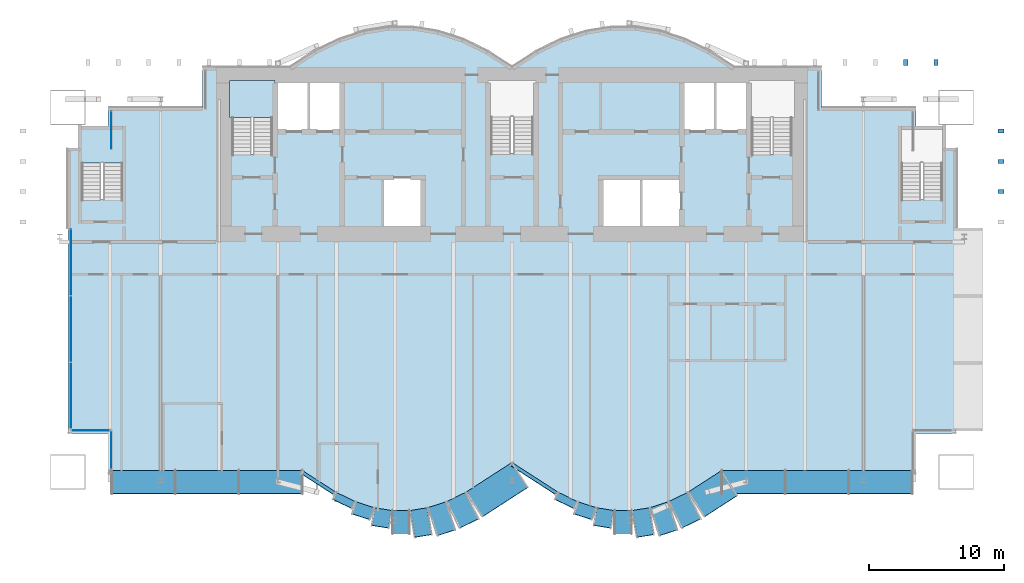
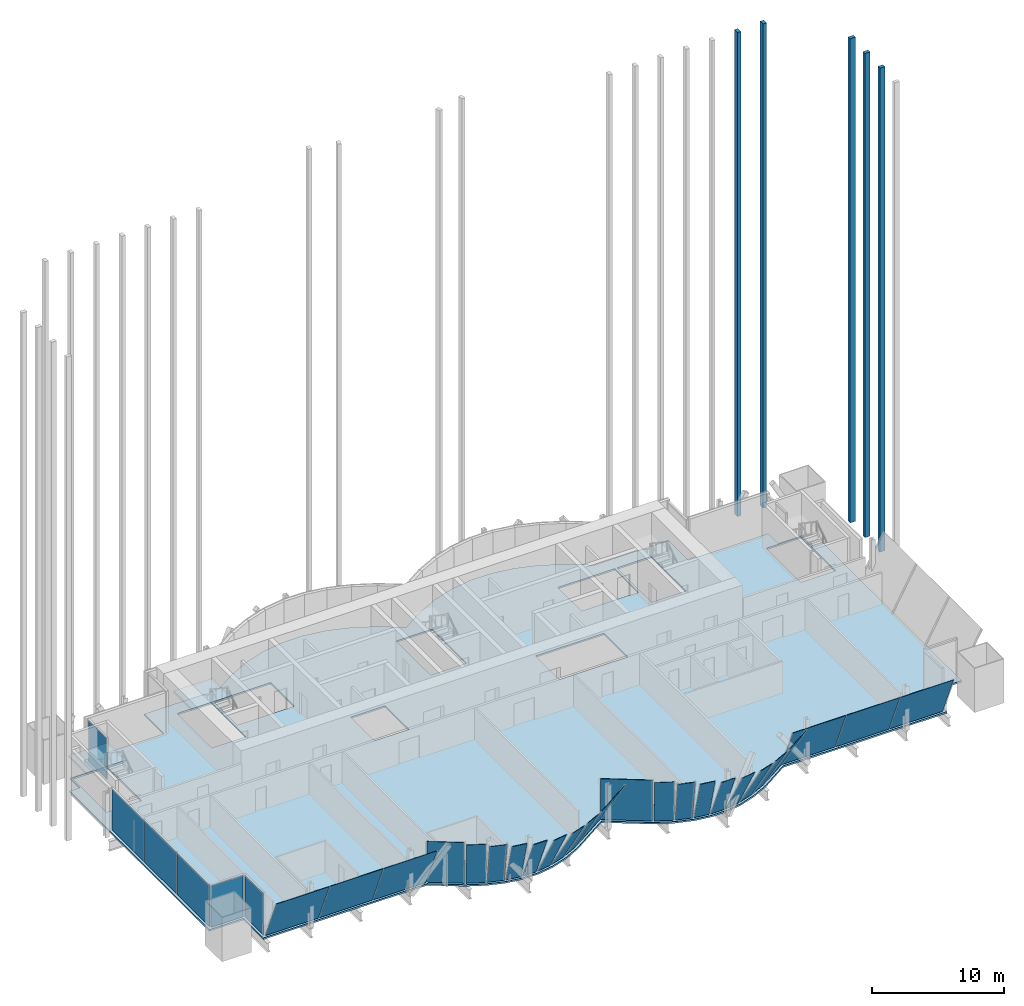
# One storey, part 22 of 29: 30 plates, 5 members, 3 slabs, 28 elements without a shape of their own.
"""IFC4 building model written with IfcOpenShell, lengths in metres."""

from ifc_helpers import new_model, si_unit, direction, frame, origin, origin_2d, place, context, subcontext, project, spatial, polyline, rectangle, outline, extrude, material, layer, layer_set, material_profile, profile_set, type_object, element, aggregate, save


model = new_model("IFC4")

# Units and contexts
model_context = context("Model", 3, precision=1e-05, world=origin(), true_north=direction((0.0, 1.0)))
body_context = subcontext(model_context, "Body", "Model", "MODEL_VIEW")
ifc_project = project(units=[si_unit("LENGTHUNIT", "METRE"), si_unit("AREAUNIT", "SQUARE_METRE"), si_unit("VOLUMEUNIT", "CUBIC_METRE"), si_unit("PLANEANGLEUNIT", "RADIAN"), si_unit("MASSUNIT", "GRAM", prefix="KILO")], contexts=[model_context])

# Site, building, storey
site_placement = place(None, origin())
site = spatial("IfcSite", under=ifc_project, at=site_placement, CompositionType="ELEMENT")
building_placement = place(site_placement, origin())
building = spatial("IfcBuilding", under=site, at=building_placement, Name="Bicima Exchange Tower", CompositionType="ELEMENT")
storey_placement = place(building_placement, frame((0.0, 0.0, 190.89990234375)))
storey = spatial("IfcBuildingStorey", under=building, at=storey_placement, Name="L42", CompositionType="ELEMENT", Elevation=190.89990234375)

# Curtain wall, members
ifc_material_1 = material(Name="Anodised bronze aluminium", Category="aluminium")
curtain_wall_type_1 = type_object("IfcCurtainWallType", Name="Rear blade screen", PredefinedType="NOTDEFINED", material=ifc_material_1)
curtain_wall_1_placement = place(storey_placement, origin())
curtain_wall_1 = element("IfcCurtainWall", 1, at=curtain_wall_1_placement, inside=storey, type_object=curtain_wall_type_1, Name="Rear blade screen L42-L52 E", PredefinedType="NOTDEFINED")
ifc_material_profile = material_profile(ifc_material_1, rectangle(XDim=0.449951171875, YDim=0.300048828125, at=origin_2d()))
ifc_profile_set = profile_set([ifc_material_profile], Name="Anodised bronze aluminium")
member_type = type_object("IfcMemberType", Name="Rear blade fin 450 x 300", PredefinedType="USERDEFINED", material=ifc_profile_set)
member_1_placement = place(storey_placement, frame((29.25, 0.324951171875, 0.0), z_axis=(0.0, 0.0, 1.0), x_axis=(0.0, 1.0, 0.0)))
member_1 = element("IfcMember", 2, at=member_1_placement, type_object=member_type, Name="Rear blade fin L42-L52 18", ObjectType="FIN", PredefinedType="USERDEFINED", context=body_context, shape_type="SweptSolid", body=[
    extrude(rectangle(XDim=0.449951171875, YDim=0.300048828125, at=origin_2d()), origin(), (0.0, 0.0, 1.0), 44.900146484375),
])
member_2_placement = place(storey_placement, frame((31.5, 0.324951171875, 0.0), z_axis=(0.0, 0.0, 1.0), x_axis=(0.0, 1.0, 0.0)))
member_2 = element("IfcMember", 3, at=member_2_placement, type_object=member_type, Name="Rear blade fin L42-L52 19", ObjectType="FIN", PredefinedType="USERDEFINED", context=body_context, shape_type="SweptSolid", body=[
    extrude(rectangle(XDim=0.449951171875, YDim=0.300048828125, at=origin_2d()), origin(), (0.0, 0.0, 1.0), 44.900146484375),
])
aggregate(curtain_wall_1, [member_1, member_2])

curtain_wall_2_placement = place(storey_placement, origin())
curtain_wall_2 = element("IfcCurtainWall", 4, at=curtain_wall_2_placement, inside=storey, type_object=curtain_wall_type_1, Name="End blade screen L42-L52", PredefinedType="NOTDEFINED")
member_3_placement = place(storey_placement, frame((36.324951171875, -9.25, 0.0), z_axis=(0.0, 0.0, 1.0), x_axis=(1.0, 0.0, 0.0)))
member_3 = element("IfcMember", 5, at=member_3_placement, type_object=member_type, Name="End blade fin L42-L52 2", ObjectType="FIN", PredefinedType="USERDEFINED", context=body_context, shape_type="SweptSolid", body=[
    extrude(rectangle(XDim=0.449951171875, YDim=0.300048828125, at=origin_2d()), origin(), (0.0, 0.0, 1.0), 44.900146484375),
])
member_4_placement = place(storey_placement, frame((36.324951171875, -7.0, 0.0), z_axis=(0.0, 0.0, 1.0), x_axis=(1.0, 0.0, 0.0)))
member_4 = element("IfcMember", 6, at=member_4_placement, type_object=member_type, Name="End blade fin L42-L52 3", ObjectType="FIN", PredefinedType="USERDEFINED", context=body_context, shape_type="SweptSolid", body=[
    extrude(rectangle(XDim=0.449951171875, YDim=0.300048828125, at=origin_2d()), origin(), (0.0, 0.0, 1.0), 44.900146484375),
])
member_5_placement = place(storey_placement, frame((36.324951171875, -4.75, 0.0), z_axis=(0.0, 0.0, 1.0), x_axis=(1.0, 0.0, 0.0)))
member_5 = element("IfcMember", 7, at=member_5_placement, type_object=member_type, Name="End blade fin L42-L52 4", ObjectType="FIN", PredefinedType="USERDEFINED", context=body_context, shape_type="SweptSolid", body=[
    extrude(rectangle(XDim=0.449951171875, YDim=0.300048828125, at=origin_2d()), origin(), (0.0, 0.0, 1.0), 44.900146484375),
])
aggregate(curtain_wall_2, [member_3, member_4, member_5])

# Slab
ifc_material_2 = material(Name="Concrete C40/50", Category="concrete")
ifc_layer_1 = layer(ifc_material_2, 0.14990234375)
ifc_layer_set_1 = layer_set([ifc_layer_1], Name="Concrete C40/50")
slab_type_1 = type_object("IfcSlabType", Name="Composite floor slab 150", PredefinedType="FLOOR", material=ifc_layer_set_1)
slab_1_placement = place(storey_placement, frame((0.0, 0.0, -0.14990234375)))
element("IfcSlab", 8, at=slab_1_placement, inside=storey, type_object=slab_type_1, Name="Floor slab", PredefinedType="FLOOR", context=body_context, shape_type="SweptSolid", body=[
    extrude(outline(polyline([(30.0, -30.216064453125), (15.61474609375, -30.216064453125), (13.1923828125, -31.781982421875), (11.712158203125, -32.499755859375), (10.295166015625, -32.957763671875), (8.92578125, -33.178955078125), (7.57421875, -33.178955078125), (6.204833984375, -32.957763671875), (4.787841796875, -32.499755859375), (3.3076171875, -31.781982421875), (0.0, -29.643798828125), (-3.3076171875, -31.781982421875), (-4.787841796875, -32.499755859375), (-6.204833984375, -32.957763671875), (-7.57421875, -33.178955078125), (-8.92578125, -33.178955078125), (-10.295166015625, -32.957763671875), (-11.712158203125, -32.499755859375), (-13.1923828125, -31.781982421875), (-15.61474609375, -30.216064453125), (-30.0, -30.216064453125), (-30.0, -27.216064453125), (-33.0, -27.216064453125), (-33.0, -6.0), (-32.10009765625, -6.0), (-32.10009765625, -4.5), (-30.0, -4.5), (-30.0, -3.0), (-23.0, -3.0), (-23.0, 0.0), (-16.5, 0.0), (-14.666748046875, 1.185302734375), (-12.833251953125, 2.07421875), (-11.0, 2.666748046875), (-9.166748046875, 2.962890625), (-7.333251953125, 2.962890625), (-5.5, 2.666748046875), (-3.666748046875, 2.07421875), (-1.833251953125, 1.185302734375), (0.0, 0.0), (1.833251953125, 1.185302734375), (3.666748046875, 2.07421875), (5.5, 2.666748046875), (7.333251953125, 2.962890625), (9.166748046875, 2.962890625), (11.0, 2.666748046875), (12.833251953125, 2.07421875), (14.666748046875, 1.185302734375), (16.5, 0.0), (23.0, 0.0), (23.0, -3.0), (30.0, -3.0), (30.0, -4.5), (32.10009765625, -4.5), (32.10009765625, -6.0), (33.0, -6.0), (33.0, -27.216064453125), (30.0, -27.216064453125), (30.0, -30.216064453125)]), holes=[polyline([(-6.60009765625, -11.800048828125), (-6.60009765625, -8.199951171875), (-9.60009765625, -8.199951171875), (-9.60009765625, -11.800048828125), (-6.60009765625, -11.800048828125)]), polyline([(-31.97509765625, -9.824951171875), (-28.925048828125, -9.824951171875), (-28.925048828125, -4.625), (-31.97509765625, -4.625), (-31.97509765625, -9.824951171875)]), polyline([(-20.800048828125, -6.449951171875), (-17.800048828125, -6.449951171875), (-17.800048828125, -1.199951171875), (-20.800048828125, -1.199951171875), (-20.800048828125, -6.449951171875)]), polyline([(1.574951171875, -6.39990234375), (1.574951171875, -1.199951171875), (-1.574951171875, -1.199951171875), (-1.574951171875, -6.39990234375), (1.574951171875, -6.39990234375)]), polyline([(-12.60009765625, -4.800048828125), (-12.60009765625, -1.199951171875), (-15.10009765625, -1.199951171875), (-17.60009765625, -1.199951171875), (-17.60009765625, -4.800048828125), (-15.10009765625, -4.800048828125), (-12.60009765625, -4.800048828125)]), polyline([(12.60009765625, -8.199951171875), (9.60009765625, -8.199951171875), (6.60009765625, -8.199951171875), (6.60009765625, -11.800048828125), (9.60009765625, -11.800048828125), (12.60009765625, -11.800048828125), (12.60009765625, -8.199951171875)]), polyline([(28.925048828125, -9.824951171875), (31.97509765625, -9.824951171875), (31.97509765625, -4.625), (28.925048828125, -4.625), (28.925048828125, -9.824951171875)]), polyline([(20.800048828125, -6.449951171875), (20.800048828125, -1.199951171875), (17.800048828125, -1.199951171875), (17.800048828125, -6.449951171875), (20.800048828125, -6.449951171875)]), polyline([(17.60009765625, -4.800048828125), (17.60009765625, -1.199951171875), (15.10009765625, -1.199951171875), (12.60009765625, -1.199951171875), (12.60009765625, -4.800048828125), (15.10009765625, -4.800048828125), (17.60009765625, -4.800048828125)])]), origin(), (0.0, 0.0, 1.0), 0.14990234375),
])

# Curtain wall, plates
curtain_wall_type_2 = type_object("IfcCurtainWallType", Name="End face glass wall", PredefinedType="NOTDEFINED", material=ifc_material_1)
curtain_wall_3_placement = place(storey_placement, origin())
curtain_wall_3 = element("IfcCurtainWall", 9, at=curtain_wall_3_placement, inside=storey, type_object=curtain_wall_type_2, Name="End face glass wall L42 run 6", PredefinedType="NOTDEFINED")
ifc_material_3 = material(Name="Bronze tinted glass", Category="glass")
ifc_layer_2 = layer(ifc_material_3, 0.031982421875)
ifc_layer_set_2 = layer_set([ifc_layer_2], Name="Bronze tinted glass")
plate_type_1 = type_object("IfcPlateType", Name="End face glass wall glass panel 32", PredefinedType="CURTAIN_PANEL", material=ifc_layer_set_2)
plate_1_placement = place(storey_placement, frame((-32.77001953125, -14.50439453125, 0.0), z_axis=(0.0, 0.0, 1.0), x_axis=(0.0, -1.0, 0.0)))
plate_1 = element("IfcPlate", 10, at=plate_1_placement, type_object=plate_type_1, Name="End face glass wall panel 1.1", PredefinedType="CURTAIN_PANEL", context=body_context, shape_type="SweptSolid", body=[
    extrude(rectangle(XDim=4.888671875, YDim=0.031982421875, at=origin_2d()), origin(), (0.0, 0.0, 1.0), 3.81005859375),
])
plate_2_placement = place(storey_placement, frame((-32.77001953125, -19.452880859375, 0.0), z_axis=(0.0, 0.0, 1.0), x_axis=(0.0, -1.0, 0.0)))
plate_2 = element("IfcPlate", 11, at=plate_2_placement, type_object=plate_type_1, Name="End face glass wall panel 2.1", PredefinedType="CURTAIN_PANEL", context=body_context, shape_type="SweptSolid", body=[
    extrude(rectangle(XDim=4.888671875, YDim=0.031982421875, at=origin_2d()), origin(), (0.0, 0.0, 1.0), 3.81005859375),
])
plate_3_placement = place(storey_placement, frame((-32.77001953125, -24.401611328125, 0.0), z_axis=(0.0, 0.0, 1.0), x_axis=(0.0, -1.0, 0.0)))
plate_3 = element("IfcPlate", 12, at=plate_3_placement, type_object=plate_type_1, Name="End face glass wall panel 3.1", PredefinedType="CURTAIN_PANEL", context=body_context, shape_type="SweptSolid", body=[
    extrude(rectangle(XDim=4.888671875, YDim=0.031982421875, at=origin_2d()), origin(), (0.0, 0.0, 1.0), 3.81005859375),
])
aggregate(curtain_wall_3, [plate_1, plate_2, plate_3])

# Curtain wall, plate
curtain_wall_type_3 = type_object("IfcCurtainWallType", Name="Front glass wall", PredefinedType="NOTDEFINED", material=ifc_material_1)
curtain_wall_4_placement = place(storey_placement, origin())
curtain_wall_4 = element("IfcCurtainWall", 13, at=curtain_wall_4_placement, inside=storey, type_object=curtain_wall_type_3, Name="Front glass wall L42 run 5", PredefinedType="NOTDEFINED")
ifc_layer_3 = layer(ifc_material_3, 0.031982421875)
ifc_layer_set_3 = layer_set([ifc_layer_3], Name="Bronze tinted glass")
plate_type_2 = type_object("IfcPlateType", Name="Front glass wall glass panel 32", PredefinedType="CURTAIN_PANEL", material=ifc_layer_set_3)
plate_4_placement = place(storey_placement, frame((-29.77001953125, -4.68994140625, 0.0), z_axis=(0.0, 0.0, 1.0), x_axis=(0.0, -1.0, 0.0)))
plate_4 = element("IfcPlate", 14, at=plate_4_placement, type_object=plate_type_2, Name="Front glass wall panel 1.1", PredefinedType="CURTAIN_PANEL", context=body_context, shape_type="SweptSolid", body=[
    extrude(rectangle(XDim=2.800048828125, YDim=0.031982421875, at=origin_2d()), origin(), (0.0, 0.0, 1.0), 3.81005859375),
])
aggregate(curtain_wall_4, [plate_4])

curtain_wall_5_placement = place(storey_placement, origin())
curtain_wall_5 = element("IfcCurtainWall", 15, at=curtain_wall_5_placement, inside=storey, type_object=curtain_wall_type_3, Name="Front glass wall L42 run 7", PredefinedType="NOTDEFINED")
plate_5_placement = place(storey_placement, frame((-31.31005859375, -26.986083984375, 0.0), z_axis=(0.0, 0.0, 1.0), x_axis=(1.0, 0.0, 0.0)))
plate_5 = element("IfcPlate", 16, at=plate_5_placement, type_object=plate_type_2, Name="Front glass wall panel 1.1", PredefinedType="CURTAIN_PANEL", context=body_context, shape_type="SweptSolid", body=[
    extrude(rectangle(XDim=2.800048828125, YDim=0.031982421875, at=origin_2d()), origin(), (0.0, 0.0, 1.0), 3.81005859375),
])
aggregate(curtain_wall_5, [plate_5])

curtain_wall_6_placement = place(storey_placement, origin())
curtain_wall_6 = element("IfcCurtainWall", 17, at=curtain_wall_6_placement, inside=storey, type_object=curtain_wall_type_3, Name="Front glass wall L42 run 8", PredefinedType="NOTDEFINED")
plate_6_placement = place(storey_placement, frame((-29.77001953125, -28.446044921875, 0.0), z_axis=(0.0, 0.0, 1.0), x_axis=(0.0, -1.0, 0.0)))
plate_6 = element("IfcPlate", 18, at=plate_6_placement, type_object=plate_type_2, Name="Front glass wall panel 1.1", PredefinedType="CURTAIN_PANEL", context=body_context, shape_type="SweptSolid", body=[
    extrude(rectangle(XDim=2.800048828125, YDim=0.031982421875, at=origin_2d()), origin(), (0.0, 0.0, 1.0), 3.81005859375),
])
aggregate(curtain_wall_6, [plate_6])

curtain_wall_7_placement = place(storey_placement, origin())
curtain_wall_7 = element("IfcCurtainWall", 19, at=curtain_wall_7_placement, inside=storey, type_object=curtain_wall_type_3, Name="Canted glass wall L42 37.1", PredefinedType="NOTDEFINED")
plate_7_placement = place(storey_placement, frame((-13.025390625, -31.607421875, 0.0), z_axis=(0.431712251382, 0.890578249762, 0.143160445158), x_axis=(0.89984713121, -0.436205387924, 0.0)))
plate_7 = element("IfcPlate", 20, at=plate_7_placement, type_object=plate_type_2, Name="Canted glass panel 1", PredefinedType="CURTAIN_PANEL", context=body_context, shape_type="SweptSolid", body=[
    extrude(outline(polyline([(0.0, 0.0), (1.494937081081463, 0.0), (1.4949137964141754, -3.9913078054860818), (-2.3284667287539446e-05, -3.9913078054860818), (0.0, 0.0)])), origin(), (0.0, 0.0, -1.0), 0.031982421875),
])
aggregate(curtain_wall_7, [plate_7])

curtain_wall_8_placement = place(storey_placement, origin())
curtain_wall_8 = element("IfcCurtainWall", 21, at=curtain_wall_8_placement, inside=storey, type_object=curtain_wall_type_3, Name="Canted glass wall L42 40.1", PredefinedType="NOTDEFINED")
plate_8_placement = place(storey_placement, frame((-8.847412109375, -32.948974609375, 0.0), z_axis=(0.0, 0.91972618109, 0.392560507207), x_axis=(1.0, 0.0, 0.0)))
plate_8 = element("IfcPlate", 22, at=plate_8_placement, type_object=plate_type_2, Name="Canted glass panel 1", PredefinedType="CURTAIN_PANEL", context=body_context, shape_type="SweptSolid", body=[
    extrude(outline(polyline([(0.0, 0.0), (1.19482421875, 0.0), (1.19482421875, -4.294968865429404), (0.0, -4.294968865429404), (0.0, 0.0)])), origin(), (0.0, 0.0, -1.0), 0.031982421875),
])
aggregate(curtain_wall_8, [plate_8])

curtain_wall_9_placement = place(storey_placement, origin())
curtain_wall_9 = element("IfcCurtainWall", 23, at=curtain_wall_9_placement, inside=storey, type_object=curtain_wall_type_3, Name="Canted glass wall L42 41.1", PredefinedType="NOTDEFINED")
plate_9_placement = place(storey_placement, frame((-7.533447265625, -32.939453125, 0.0), z_axis=(-0.142188012314, 0.879815941949, 0.453548759723), x_axis=(0.987188080253, 0.159560937079, -3.9566294e-05)))
plate_9 = element("IfcPlate", 24, at=plate_9_placement, type_object=plate_type_2, Name="Canted glass panel 1", PredefinedType="CURTAIN_PANEL", context=body_context, shape_type="SweptSolid", body=[
    extrude(outline(polyline([(0.0, 0.0), (1.2311203168570453, -1.3877787807814457e-17), (1.2309870398327059, -4.432343539504277), (-9.432171743498812e-05, -4.432234229859853), (0.0, 0.0)])), origin(), (0.0, 0.0, -1.0), 0.031982421875),
])
aggregate(curtain_wall_9, [plate_9])

curtain_wall_10_placement = place(storey_placement, origin())
curtain_wall_10 = element("IfcCurtainWall", 25, at=curtain_wall_10_placement, inside=storey, type_object=curtain_wall_type_3, Name="Canted glass wall L42 42.1", PredefinedType="NOTDEFINED")
plate_10_placement = place(storey_placement, frame((-6.20166015625, -32.71484375, 0.0), z_axis=(-0.268992577696, 0.8322382545, 0.484791172457), x_axis=(0.951536123408, 0.307536998143, 2.495936e-05)))
plate_10 = element("IfcPlate", 26, at=plate_10_placement, type_object=plate_type_2, Name="Canted glass panel 1", PredefinedType="CURTAIN_PANEL", context=body_context, shape_type="SweptSolid", body=[
    extrude(outline(polyline([(0.0, 0.0), (1.3354547737341032, 0.0), (1.33581580932168, -4.516380957805549), (5.364468876061158e-05, -4.516457186462047), (0.0, 0.0)])), origin(), (0.0, 0.0, -1.0), 0.031982421875),
])
aggregate(curtain_wall_10, [plate_10])

curtain_wall_11_placement = place(storey_placement, origin())
curtain_wall_11 = element("IfcCurtainWall", 27, at=curtain_wall_11_placement, inside=storey, type_object=curtain_wall_type_3, Name="Canted glass wall L42 43.1", PredefinedType="NOTDEFINED")
plate_11_placement = place(storey_placement, frame((-4.81982421875, -32.259521484375, 0.0), z_axis=(-0.381576976961, 0.787006978496, 0.484787609631), x_axis=(0.899822611519, 0.436255964805, 3.1154245e-05)))
plate_11 = element("IfcPlate", 28, at=plate_11_placement, type_object=plate_type_2, Name="Canted glass panel 1", PredefinedType="CURTAIN_PANEL", context=body_context, shape_type="SweptSolid", body=[
    extrude(outline(polyline([(0.0, 0.0), (1.4949370779945501, 0.0), (1.4952692495169604, -4.51635562037571), (0.00022566371850267099, -4.516462122997945), (0.0, 0.0)])), origin(), (0.0, 0.0, -1.0), 0.031982421875),
])
aggregate(curtain_wall_11, [plate_11])

curtain_wall_12_placement = place(storey_placement, origin())
curtain_wall_12 = element("IfcCurtainWall", 29, at=curtain_wall_12_placement, inside=storey, type_object=curtain_wall_type_3, Name="Canted glass wall L42 45.1", PredefinedType="NOTDEFINED")
plate_12_placement = place(storey_placement, frame((0.05029296875, -29.40234375, 0.0), z_axis=(0.541902911435, 0.838268106443, 0.060397154729), x_axis=(0.839801174799, -0.542894084333, 1.563377e-06)))
plate_12 = element("IfcPlate", 30, at=plate_12_placement, type_object=plate_type_2, Name="Canted glass panel 1", PredefinedType="CURTAIN_PANEL", context=body_context, shape_type="SweptSolid", body=[
    extrude(outline(polyline([(0.0, 0.0), (3.953173405832099, -1.3877787807814457e-17), (3.9532588084047404, -3.9574136856257973), (0.00021794507369933414, -3.957426068622452), (0.0, 0.0)])), origin(), (0.0, 0.0, -1.0), 0.031982421875),
])
aggregate(curtain_wall_12, [plate_12])

curtain_wall_13_placement = place(storey_placement, origin())
curtain_wall_13 = element("IfcCurtainWall", 31, at=curtain_wall_13_placement, inside=storey, type_object=curtain_wall_type_3, Name="Canted glass wall L42 46.1", PredefinedType="NOTDEFINED")
plate_13_placement = place(storey_placement, frame((3.474609375, -31.607421875, 0.0), z_axis=(0.431712251382, 0.890578249762, 0.143160445158), x_axis=(0.89984713121, -0.436205387924, 0.0)))
plate_13 = element("IfcPlate", 32, at=plate_13_placement, type_object=plate_type_2, Name="Canted glass panel 1", PredefinedType="CURTAIN_PANEL", context=body_context, shape_type="SweptSolid", body=[
    extrude(outline(polyline([(0.0, 0.0), (1.494937081081463, 0.0), (1.4949137964141754, -3.9913078054860818), (-2.3284667287539446e-05, -3.9913078054860818), (0.0, 0.0)])), origin(), (0.0, 0.0, -1.0), 0.031982421875),
])
aggregate(curtain_wall_13, [plate_13])

curtain_wall_14_placement = place(storey_placement, origin())
curtain_wall_14 = element("IfcCurtainWall", 33, at=curtain_wall_14_placement, inside=storey, type_object=curtain_wall_type_3, Name="Canted glass wall L42 47.1", PredefinedType="NOTDEFINED")
plate_14_placement = place(storey_placement, frame((4.930908203125, -32.30419921875, 0.0), z_axis=(0.299183251617, 0.925831643678, 0.230922388514), x_axis=(0.951549971166, -0.307494150144, 0.0)))
plate_14 = element("IfcPlate", 34, at=plate_14_placement, type_object=plate_type_2, Name="Canted glass panel 1", PredefinedType="CURTAIN_PANEL", context=body_context, shape_type="SweptSolid", body=[
    extrude(outline(polyline([(0.0, 0.0), (1.3354547755040358, -1.3877787807814457e-17), (1.3354067063341915, -4.0599262958654565), (-4.806916984428922e-05, -4.0599262958654565), (0.0, 0.0)])), origin(), (0.0, 0.0, -1.0), 0.031982421875),
])
aggregate(curtain_wall_14, [plate_14])

curtain_wall_15_placement = place(storey_placement, origin())
curtain_wall_15 = element("IfcCurtainWall", 35, at=curtain_wall_15_placement, inside=storey, type_object=curtain_wall_type_3, Name="Canted glass wall L42 48.1", PredefinedType="NOTDEFINED")
plate_15_placement = place(storey_placement, frame((6.318115234375, -32.742919921875, 0.0), z_axis=(0.151333158042, 0.936403307314, 0.316618258046), x_axis=(0.987189727656, -0.159550746617, 2.9397368e-05)))
plate_15 = element("IfcPlate", 36, at=plate_15_placement, type_object=plate_type_2, Name="Canted glass panel 1", PredefinedType="CURTAIN_PANEL", context=body_context, shape_type="SweptSolid", body=[
    extrude(outline(polyline([(0.0, 0.0), (1.2311203162350637, 0.0), (1.2311406127178135, -4.1644050841829685), (5.924930174800396e-05, -4.164481392250139), (0.0, 0.0)])), origin(), (0.0, 0.0, -1.0), 0.031982421875),
])
aggregate(curtain_wall_15, [plate_15])

curtain_wall_16_placement = place(storey_placement, origin())
curtain_wall_16 = element("IfcCurtainWall", 37, at=curtain_wall_16_placement, inside=storey, type_object=curtain_wall_type_3, Name="Canted glass wall L42 49.1", PredefinedType="NOTDEFINED")
plate_16_placement = place(storey_placement, frame((7.652587890625, -32.948974609375, 0.0), z_axis=(0.0, 0.91972618109, 0.392560507207), x_axis=(1.0, 0.0, 0.0)))
plate_16 = element("IfcPlate", 38, at=plate_16_placement, type_object=plate_type_2, Name="Canted glass panel 1", PredefinedType="CURTAIN_PANEL", context=body_context, shape_type="SweptSolid", body=[
    extrude(outline(polyline([(0.0, 0.0), (1.19482421875, 0.0), (1.19482421875, -4.294968865429404), (0.0, -4.294968865429404), (0.0, 0.0)])), origin(), (0.0, 0.0, -1.0), 0.031982421875),
])
aggregate(curtain_wall_16, [plate_16])

curtain_wall_17_placement = place(storey_placement, origin())
curtain_wall_17 = element("IfcCurtainWall", 39, at=curtain_wall_17_placement, inside=storey, type_object=curtain_wall_type_3, Name="Canted glass wall L42 52.1", PredefinedType="NOTDEFINED")
plate_17_placement = place(storey_placement, frame((11.68017578125, -32.259521484375, 0.0), z_axis=(-0.381576976961, 0.787006978496, 0.484787609631), x_axis=(0.899822611519, 0.436255964805, 3.1154245e-05)))
plate_17 = element("IfcPlate", 40, at=plate_17_placement, type_object=plate_type_2, Name="Canted glass panel 1", PredefinedType="CURTAIN_PANEL", context=body_context, shape_type="SweptSolid", body=[
    extrude(outline(polyline([(0.0, 0.0), (1.4949370779945501, 0.0), (1.4952692495169604, -4.51635562037571), (0.00022566371850267099, -4.516462122997945), (0.0, 0.0)])), origin(), (0.0, 0.0, -1.0), 0.031982421875),
])
aggregate(curtain_wall_17, [plate_17])

curtain_wall_18_placement = place(storey_placement, origin())
curtain_wall_18 = element("IfcCurtainWall", 41, at=curtain_wall_18_placement, inside=storey, type_object=curtain_wall_type_3, Name="Canted glass wall L42 53.1", PredefinedType="NOTDEFINED")
plate_18_placement = place(storey_placement, frame((13.1298828125, -31.548583984375, 0.0), z_axis=(-0.474818122348, 0.7345227604, 0.484792806407), x_axis=(0.839805995735, 0.542886626553, -1.5424091e-05)))
plate_18 = element("IfcPlate", 42, at=plate_18_placement, type_object=plate_type_2, Name="Canted glass panel 1", PredefinedType="CURTAIN_PANEL", context=body_context, shape_type="SweptSolid", body=[
    extrude(outline(polyline([(0.0, 0.0), (2.818200637514678, 1.1102230246251565e-16), (2.818138078980921, -4.5164734515156875), (6.99821465538396e-05, -4.516374055865816), (0.0, 0.0)])), origin(), (0.0, 0.0, -1.0), 0.031982421875),
])
aggregate(curtain_wall_18, [plate_18])

# Curtain wall, plates
curtain_wall_19_placement = place(storey_placement, origin())
curtain_wall_19 = element("IfcCurtainWall", 43, at=curtain_wall_19_placement, inside=storey, type_object=curtain_wall_type_3, Name="Canted glass wall L42 35.1", PredefinedType="NOTDEFINED")
ifc_material_4 = material(Name="Bronze anodised aluminium", Category="aluminium")
ifc_layer_4 = layer(ifc_material_4, 0.031982421875)
ifc_layer_set_4 = layer_set([ifc_layer_4], Name="Bronze anodised aluminium")
plate_type_3 = type_object("IfcPlateType", Name="Front glass wall spandrel panel 32", PredefinedType="CURTAIN_PANEL", material=ifc_layer_set_4)
plate_19_placement = place(storey_placement, frame((-29.7099609375, -29.986083984375, 0.0), z_axis=(0.0, 0.91972618109, 0.392560507207), x_axis=(1.0, 0.0, 0.0)))
plate_19 = element("IfcPlate", 44, at=plate_19_placement, type_object=plate_type_3, Name="Canted glass panel 1", PredefinedType="CURTAIN_PANEL", context=body_context, shape_type="SweptSolid", body=[
    extrude(outline(polyline([(0.0, 0.0), (4.660888671875, 0.0), (4.660888671875, -4.294968865429403), (0.0, -4.294968865429403), (0.0, 0.0)])), origin(), (0.0, 0.0, -1.0), 0.031982421875),
])
plate_20_placement = place(storey_placement, frame((-24.989013671875, -29.986083984375, 0.0), z_axis=(0.0, 0.91972618109, 0.392560507207), x_axis=(1.0, 0.0, 0.0)))
plate_20 = element("IfcPlate", 45, at=plate_20_placement, type_object=plate_type_3, Name="Canted glass panel 2", PredefinedType="CURTAIN_PANEL", context=body_context, shape_type="SweptSolid", body=[
    extrude(outline(polyline([(0.0, 0.0), (4.6611328125, 0.0), (4.6611328125, -4.294968865429403), (0.0, -4.294968865429403), (0.0, 0.0)])), origin(), (0.0, 0.0, -1.0), 0.031982421875),
])
plate_21_placement = place(storey_placement, frame((-20.267822265625, -29.986083984375, 0.0), z_axis=(0.0, 0.91972618109, 0.392560507207), x_axis=(1.0, 0.0, 0.0)))
plate_21 = element("IfcPlate", 46, at=plate_21_placement, type_object=plate_type_3, Name="Canted glass panel 3", PredefinedType="CURTAIN_PANEL", context=body_context, shape_type="SweptSolid", body=[
    extrude(outline(polyline([(0.0, 0.0), (4.660888671875, 0.0), (4.660888671875, -4.294968865429403), (0.0, -4.294968865429403), (0.0, 0.0)])), origin(), (0.0, 0.0, -1.0), 0.031982421875),
])
aggregate(curtain_wall_19, [plate_19, plate_20, plate_21])

# Curtain wall, plate
curtain_wall_20_placement = place(storey_placement, origin())
curtain_wall_20 = element("IfcCurtainWall", 47, at=curtain_wall_20_placement, inside=storey, type_object=curtain_wall_type_3, Name="Canted glass wall L42 36.1", PredefinedType="NOTDEFINED")
plate_22_placement = place(storey_placement, frame((-15.49658203125, -30.0185546875, 0.0), z_axis=(0.541919720783, 0.838259098974, 0.06037134432), x_axis=(0.839790888572, -0.542909995738, 0.0)))
plate_22 = element("IfcPlate", 48, at=plate_22_placement, type_object=plate_type_3, Name="Canted glass panel 1", PredefinedType="CURTAIN_PANEL", context=body_context, shape_type="SweptSolid", body=[
    extrude(outline(polyline([(0.0, 0.0), (2.8182006389410366, -1.3877787807814457e-17), (2.818284392521264, -3.957413686983993), (8.375358022742752e-05, -3.957413686983993), (0.0, 0.0)])), origin(), (0.0, 0.0, -1.0), 0.031982421875),
])
aggregate(curtain_wall_20, [plate_22])

curtain_wall_21_placement = place(storey_placement, origin())
curtain_wall_21 = element("IfcCurtainWall", 49, at=curtain_wall_21_placement, inside=storey, type_object=curtain_wall_type_3, Name="Canted glass wall L42 38.1", PredefinedType="NOTDEFINED")
plate_23_placement = place(storey_placement, frame((-11.569091796875, -32.30419921875, 0.0), z_axis=(0.299183251617, 0.925831643678, 0.230922388514), x_axis=(0.951549971166, -0.307494150144, 0.0)))
plate_23 = element("IfcPlate", 50, at=plate_23_placement, type_object=plate_type_3, Name="Canted glass panel 1", PredefinedType="CURTAIN_PANEL", context=body_context, shape_type="SweptSolid", body=[
    extrude(outline(polyline([(0.0, 0.0), (1.3354547755040358, -1.3877787807814457e-17), (1.3354067063341915, -4.0599262958654565), (-4.806916984428922e-05, -4.0599262958654565), (0.0, 0.0)])), origin(), (0.0, 0.0, -1.0), 0.031982421875),
])
aggregate(curtain_wall_21, [plate_23])

curtain_wall_22_placement = place(storey_placement, origin())
curtain_wall_22 = element("IfcCurtainWall", 51, at=curtain_wall_22_placement, inside=storey, type_object=curtain_wall_type_3, Name="Canted glass wall L42 39.1", PredefinedType="NOTDEFINED")
plate_24_placement = place(storey_placement, frame((-10.181884765625, -32.742919921875, 0.0), z_axis=(0.151333158042, 0.936403307314, 0.316618258046), x_axis=(0.987189727656, -0.159550746617, 2.9397368e-05)))
plate_24 = element("IfcPlate", 52, at=plate_24_placement, type_object=plate_type_3, Name="Canted glass panel 1", PredefinedType="CURTAIN_PANEL", context=body_context, shape_type="SweptSolid", body=[
    extrude(outline(polyline([(0.0, 0.0), (1.2311203162350637, 0.0), (1.2311406127178135, -4.1644050841829685), (5.924930174800396e-05, -4.164481392250139), (0.0, 0.0)])), origin(), (0.0, 0.0, -1.0), 0.031982421875),
])
aggregate(curtain_wall_22, [plate_24])

curtain_wall_23_placement = place(storey_placement, origin())
curtain_wall_23 = element("IfcCurtainWall", 53, at=curtain_wall_23_placement, inside=storey, type_object=curtain_wall_type_3, Name="Canted glass wall L42 44.1", PredefinedType="NOTDEFINED")
plate_25_placement = place(storey_placement, frame((-3.3701171875, -31.548583984375, 0.0), z_axis=(-0.474846546978, 0.734511793702, 0.484781581473), x_axis=(0.839790954846, 0.542909893209, -3.887086e-06)))
plate_25 = element("IfcPlate", 54, at=plate_25_placement, type_object=plate_type_3, Name="Canted glass panel 1", PredefinedType="CURTAIN_PANEL", context=body_context, shape_type="SweptSolid", body=[
    extrude(outline(polyline([(0.0, 0.0), (3.953173407029393, 0.0), (3.9528907311231105, -4.516409193027416), (5.489754294975803e-05, -4.516374056853175), (0.0, 0.0)])), origin(), (0.0, 0.0, -1.0), 0.031982421875),
])
aggregate(curtain_wall_23, [plate_25])

curtain_wall_24_placement = place(storey_placement, origin())
curtain_wall_24 = element("IfcCurtainWall", 55, at=curtain_wall_24_placement, inside=storey, type_object=curtain_wall_type_3, Name="Canted glass wall L42 50.1", PredefinedType="NOTDEFINED")
plate_26_placement = place(storey_placement, frame((8.966552734375, -32.939453125, 0.0), z_axis=(-0.142188012314, 0.879815941949, 0.453548759723), x_axis=(0.987188080253, 0.159560937079, -3.9566294e-05)))
plate_26 = element("IfcPlate", 56, at=plate_26_placement, type_object=plate_type_3, Name="Canted glass panel 1", PredefinedType="CURTAIN_PANEL", context=body_context, shape_type="SweptSolid", body=[
    extrude(outline(polyline([(0.0, 0.0), (1.2311203168570453, -1.3877787807814457e-17), (1.2309870398327059, -4.432343539504277), (-9.432171743498812e-05, -4.432234229859853), (0.0, 0.0)])), origin(), (0.0, 0.0, -1.0), 0.031982421875),
])
aggregate(curtain_wall_24, [plate_26])

curtain_wall_25_placement = place(storey_placement, origin())
curtain_wall_25 = element("IfcCurtainWall", 57, at=curtain_wall_25_placement, inside=storey, type_object=curtain_wall_type_3, Name="Canted glass wall L42 51.1", PredefinedType="NOTDEFINED")
plate_27_placement = place(storey_placement, frame((10.29833984375, -32.71484375, 0.0), z_axis=(-0.268992577696, 0.8322382545, 0.484791172457), x_axis=(0.951536123408, 0.307536998143, 2.495936e-05)))
plate_27 = element("IfcPlate", 58, at=plate_27_placement, type_object=plate_type_3, Name="Canted glass panel 1", PredefinedType="CURTAIN_PANEL", context=body_context, shape_type="SweptSolid", body=[
    extrude(outline(polyline([(0.0, 0.0), (1.3354547737341032, 0.0), (1.33581580932168, -4.516380957805549), (5.364468876061158e-05, -4.516457186462047), (0.0, 0.0)])), origin(), (0.0, 0.0, -1.0), 0.031982421875),
])
aggregate(curtain_wall_25, [plate_27])

# Curtain wall, plates
curtain_wall_26_placement = place(storey_placement, origin())
curtain_wall_26 = element("IfcCurtainWall", 59, at=curtain_wall_26_placement, inside=storey, type_object=curtain_wall_type_3, Name="Canted glass wall L42 54.1", PredefinedType="NOTDEFINED")
plate_28_placement = place(storey_placement, frame((15.60693359375, -29.986083984375, 0.0), z_axis=(0.0, 0.91972618109, 0.392560507207), x_axis=(1.0, 0.0, 0.0)))
plate_28 = element("IfcPlate", 60, at=plate_28_placement, type_object=plate_type_3, Name="Canted glass panel 1", PredefinedType="CURTAIN_PANEL", context=body_context, shape_type="SweptSolid", body=[
    extrude(outline(polyline([(0.0, 0.0), (4.660888671875, 0.0), (4.660888671875, -4.294968865429403), (0.0, -4.294968865429403), (0.0, 0.0)])), origin(), (0.0, 0.0, -1.0), 0.031982421875),
])
plate_29_placement = place(storey_placement, frame((20.327880859375, -29.986083984375, 0.0), z_axis=(0.0, 0.91972618109, 0.392560507207), x_axis=(1.0, 0.0, 0.0)))
plate_29 = element("IfcPlate", 61, at=plate_29_placement, type_object=plate_type_3, Name="Canted glass panel 2", PredefinedType="CURTAIN_PANEL", context=body_context, shape_type="SweptSolid", body=[
    extrude(outline(polyline([(0.0, 0.0), (4.6611328125, 0.0), (4.6611328125, -4.294968865429403), (0.0, -4.294968865429403), (0.0, 0.0)])), origin(), (0.0, 0.0, -1.0), 0.031982421875),
])
plate_30_placement = place(storey_placement, frame((25.049072265625, -29.986083984375, 0.0), z_axis=(0.0, 0.91972618109, 0.392560507207), x_axis=(1.0, 0.0, 0.0)))
plate_30 = element("IfcPlate", 62, at=plate_30_placement, type_object=plate_type_3, Name="Canted glass panel 3", PredefinedType="CURTAIN_PANEL", context=body_context, shape_type="SweptSolid", body=[
    extrude(outline(polyline([(0.0, 0.0), (4.660888671875, 0.0), (4.660888671875, -4.294968865429403), (0.0, -4.294968865429403), (0.0, 0.0)])), origin(), (0.0, 0.0, -1.0), 0.031982421875),
])
aggregate(curtain_wall_26, [plate_28, plate_29, plate_30])

# Stair, slab
ifc_material_5 = material(Name="Concrete C50/60", Category="concrete")
stair_type = type_object("IfcStairType", Name="Exit stair", PredefinedType="HALF_TURN_STAIR", material=ifc_material_5)
stair_1_placement = place(storey_placement, origin())
stair_1 = element("IfcStair", 63, at=stair_1_placement, inside=storey, type_object=stair_type, Name="L42 West exit stair", PredefinedType="HALF_TURN_STAIR")
ifc_layer_5 = layer(ifc_material_5, 0.199951171875)
ifc_layer_set_5 = layer_set([ifc_layer_5], Name="Concrete C50/60")
slab_type_2 = type_object("IfcSlabType", Name="Stair landing slab", PredefinedType="LANDING", material=ifc_layer_set_5)
slab_2_placement = place(storey_placement, frame((0.0, 0.0, 1.85009765625)))
slab_2 = element("IfcSlab", 64, at=slab_2_placement, type_object=slab_type_2, Name="ST-W landing 1", PredefinedType="LANDING", context=body_context, shape_type="SweptSolid", body=[
    extrude(outline(polyline([(-17.60009765625, -3.75), (-17.60009765625, -1.0), (-21.0, -1.0), (-21.0, -3.75), (-17.60009765625, -3.75)])), origin(), (0.0, 0.0, 1.0), 0.199951171875),
])
aggregate(stair_1, [slab_2])

stair_2_placement = place(storey_placement, origin())
stair_2 = element("IfcStair", 65, at=stair_2_placement, inside=storey, type_object=stair_type, Name="L42 West end exit stair", PredefinedType="HALF_TURN_STAIR")
slab_3_placement = place(storey_placement, frame((0.0, 0.0, 1.85009765625)))
slab_3 = element("IfcSlab", 66, at=slab_3_placement, type_object=slab_type_2, Name="ST-WW landing 1", PredefinedType="LANDING", context=body_context, shape_type="SweptSolid", body=[
    extrude(outline(polyline([(-28.72509765625, -7.125), (-28.72509765625, -4.425048828125), (-32.175048828125, -4.425048828125), (-32.175048828125, -7.125), (-28.72509765625, -7.125)])), origin(), (0.0, 0.0, 1.0), 0.199951171875),
])
aggregate(stair_2, [slab_3])

save(model, "model.ifc")
